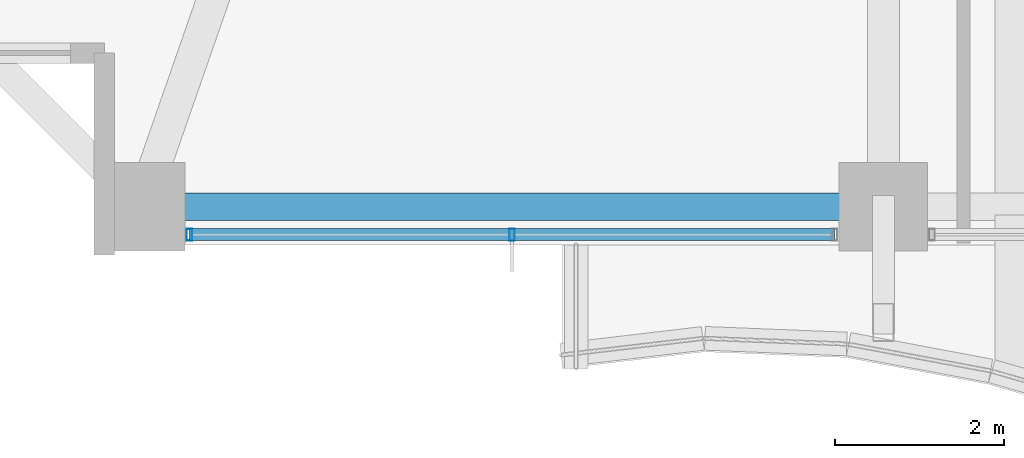
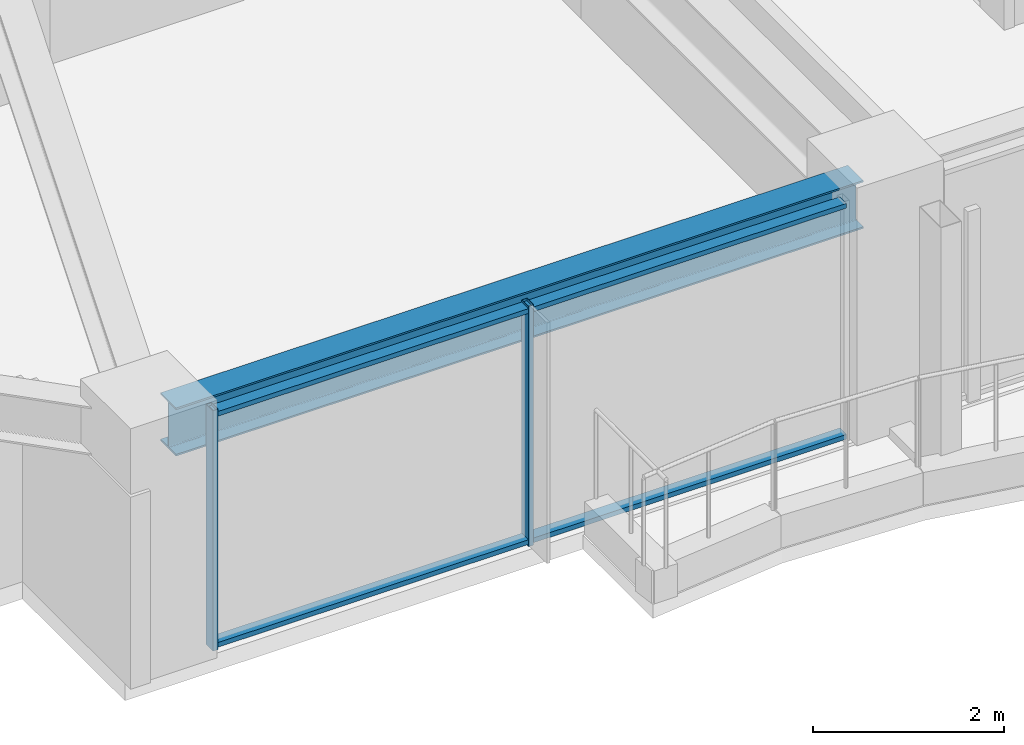
# One storey, part 2 of 38: 4 members, 1 beam, 1 element without a shape of its own.
"""IFC4 building model written with IfcOpenShell, lengths in metres."""

from ifc_helpers import new_model, si_unit, direction, frame, origin, origin_2d, place, context, subcontext, project, spatial, hollow_rectangle, i_section, extrude, material, material_profile, profile_set, type_object, element, aggregate, save


model = new_model("IFC4")

# Units and contexts
model_context = context("Model", 3, precision=1e-05, world=origin(), true_north=direction((0.0, 1.0)))
body_context = subcontext(model_context, "Body", "Model", "MODEL_VIEW")
ifc_project = project(units=[si_unit("LENGTHUNIT", "METRE"), si_unit("AREAUNIT", "SQUARE_METRE"), si_unit("VOLUMEUNIT", "CUBIC_METRE"), si_unit("PLANEANGLEUNIT", "RADIAN"), si_unit("MASSUNIT", "GRAM", prefix="KILO")], contexts=[model_context])

# Site, building, storey
site_placement = place(None, origin())
site = spatial("IfcSite", under=ifc_project, at=site_placement, CompositionType="ELEMENT")
building_placement = place(site_placement, origin())
building = spatial("IfcBuilding", under=site, at=building_placement, Name="Kolvaren Belvedere", CompositionType="ELEMENT")
storey_placement = place(building_placement, frame((0.0, 0.0, 78.800048828125)))
storey = spatial("IfcBuildingStorey", under=building, at=storey_placement, Name="L22", CompositionType="ELEMENT", Elevation=78.800048828125)

# Beam
ifc_material_1 = material(Name="Structural steel ASTM A992 Grade 50", Category="steel")
ifc_material_profile_1 = material_profile(ifc_material_1, i_section(OverallWidth=0.324951171875, OverallDepth=0.615966796875, WebThickness=0.013916015625, FlangeThickness=0.021484375, FilletRadius=0.02001953125, at=origin_2d()), Name="W24X117")
ifc_profile_set_1 = profile_set([ifc_material_profile_1], Name="Structural steel ASTM A992 Grade 50")
beam_type = type_object("IfcBeamType", Name="BM-SPAN-W24X117", PredefinedType="SPANDREL", material=ifc_profile_set_1)
beam_placement = place(storey_placement, frame((-13.163818359375, -19.949951171875, 2.77197265625), z_axis=(1.0, 0.0, 0.0), x_axis=(0.0, 1.0, 0.0)))
element("IfcBeam", 1, at=beam_placement, inside=storey, type_object=beam_type, Name="L22 Perimeter Spandrel S1-S2", PredefinedType="SPANDREL", context=body_context, shape_type="SweptSolid", body=[
    extrude(i_section(OverallWidth=0.324951171875, OverallDepth=0.615966796875, WebThickness=0.013916015625, FlangeThickness=0.021484375, FilletRadius=0.02001953125, at=origin_2d()), origin(), (0.0, 0.0, 1.0), 8.32763671875),
])

# Curtain wall, members
ifc_material_2 = material(Name="Anodised pale-metal aluminium AA 6063-T6", Category="aluminium")
curtain_wall_type = type_object("IfcCurtainWallType", Name="CW-Z2-MID", PredefinedType="NOTDEFINED", material=ifc_material_2)
curtain_wall_placement = place(storey_placement, origin())
curtain_wall = element("IfcCurtainWall", 2, at=curtain_wall_placement, inside=storey, type_object=curtain_wall_type, Name="L22 Unitised Curtain Wall FCW-L22-S2-B2", PredefinedType="NOTDEFINED")
ifc_material_3 = material(Name="Anodised pale-metal aluminium AA 6063-T6", Category="aluminium")
ifc_material_profile_2 = material_profile(ifc_material_3, hollow_rectangle(XDim=0.06494140625, YDim=0.139892578125, WallThickness=0.00390625, at=origin_2d()), Name="ALU-MUL-140X65")
ifc_profile_set_2 = profile_set([ifc_material_profile_2], Name="Anodised pale-metal aluminium AA 6063-T6")
member_type_1 = type_object("IfcMemberType", Name="CW-MUL-140", PredefinedType="MULLION", material=ifc_profile_set_2)
member_1_placement = place(storey_placement, frame((-9.0, -20.280029296875, 0.0), z_axis=(0.0, 0.0, 1.0), x_axis=(1.0, 0.0, 0.0)))
member_1 = element("IfcMember", 3, at=member_1_placement, type_object=member_type_1, Name="FCW-L22-S2-B2 Unitised Mullion 2", PredefinedType="MULLION", context=body_context, shape_type="SweptSolid", body=[
    extrude(hollow_rectangle(XDim=0.06494140625, YDim=0.139892578125, WallThickness=0.00390625, at=origin_2d()), origin(), (0.0, 0.0, 1.0), 3.079833984375),
])
member_2_placement = place(storey_placement, frame((-12.822509765625, -20.280029296875, 0.0), z_axis=(0.0, 0.0, 1.0), x_axis=(1.0, 0.0, 0.0)))
member_2 = element("IfcMember", 4, at=member_2_placement, type_object=member_type_1, Name="FCW-L22-S2-B2 Unitised Mullion 3", PredefinedType="MULLION", context=body_context, shape_type="SweptSolid", body=[
    extrude(hollow_rectangle(XDim=0.06494140625, YDim=0.139892578125, WallThickness=0.00390625, at=origin_2d()), origin(), (0.0, 0.0, 1.0), 3.079833984375),
])
ifc_material_4 = material(Name="Anodised pale-metal aluminium AA 6063-T6", Category="aluminium")
ifc_material_profile_3 = material_profile(ifc_material_4, hollow_rectangle(XDim=0.06005859375, YDim=0.139892578125, WallThickness=0.00390625, at=origin_2d()), Name="ALU-TRN-140X60")
ifc_profile_set_3 = profile_set([ifc_material_profile_3], Name="Anodised pale-metal aluminium AA 6063-T6")
member_type_2 = type_object("IfcMemberType", Name="CW-TRN-140", PredefinedType="USERDEFINED", material=ifc_profile_set_3)
member_3_placement = place(storey_placement, frame((-5.177490234375, -20.280029296875, 0.06005859375), z_axis=(-1.0, 0.0, 0.0), x_axis=(0.0, 0.0, 1.0)))
member_3 = element("IfcMember", 5, at=member_3_placement, type_object=member_type_2, Name="FCW-L22-S2-B2 Sill Transom", ObjectType="TRANSOM", PredefinedType="USERDEFINED", context=body_context, shape_type="SweptSolid", body=[
    extrude(hollow_rectangle(XDim=0.06005859375, YDim=0.139892578125, WallThickness=0.00390625, at=origin_2d()), origin(), (0.0, 0.0, 1.0), 7.64501953125),
])
member_4_placement = place(storey_placement, frame((-5.177490234375, -20.280029296875, 3.02001953125), z_axis=(-1.0, 0.0, 0.0), x_axis=(0.0, 0.0, 1.0)))
member_4 = element("IfcMember", 6, at=member_4_placement, type_object=member_type_2, Name="FCW-L22-S2-B2 Head Transom", ObjectType="TRANSOM", PredefinedType="USERDEFINED", context=body_context, shape_type="SweptSolid", body=[
    extrude(hollow_rectangle(XDim=0.06005859375, YDim=0.139892578125, WallThickness=0.00390625, at=origin_2d()), origin(), (0.0, 0.0, 1.0), 7.64501953125),
])
aggregate(curtain_wall, [member_1, member_2, member_3, member_4])

save(model, "model.ifc")
